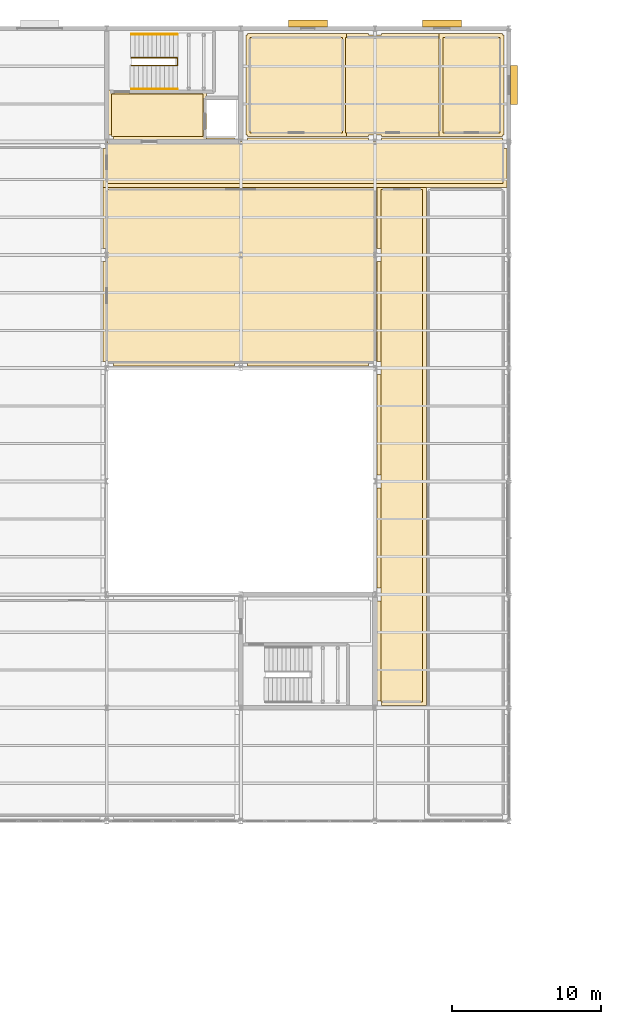
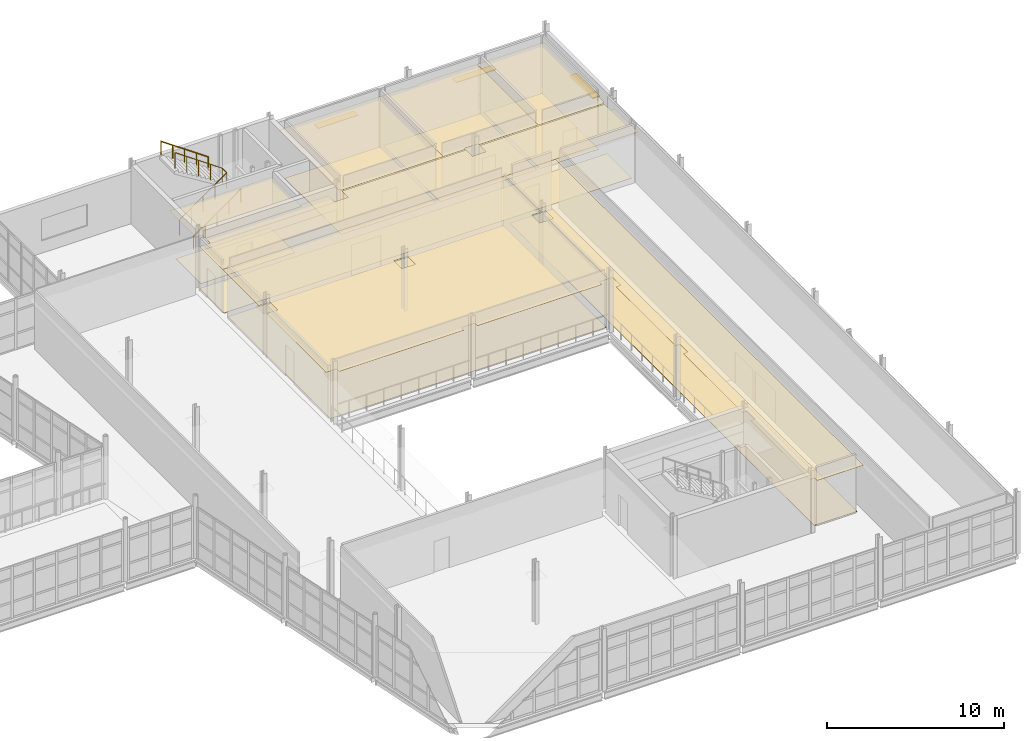
# One storey, part 174 of 174: 14 coverings, 3 railings, 3 shading devices.
"""IFC4 building model written with IfcOpenShell, lengths in metres."""

from ifc_helpers import new_model, si_unit, direction, frame, origin, origin_2d, place, context, subcontext, project, spatial, polyline, rectangle, circle, outline, extrude, material, layer, layer_set, type_object, element, save


model = new_model("IFC4")

# Units and contexts
model_context = context("Model", 3, precision=1e-05, world=origin(), true_north=direction((0.0, 1.0)))
body_context = subcontext(model_context, "Body", "Model", "MODEL_VIEW")
ifc_project = project(units=[si_unit("LENGTHUNIT", "METRE"), si_unit("AREAUNIT", "SQUARE_METRE"), si_unit("VOLUMEUNIT", "CUBIC_METRE"), si_unit("PLANEANGLEUNIT", "RADIAN"), si_unit("MASSUNIT", "GRAM", prefix="KILO")], contexts=[model_context])

# Site, building, storey
site_placement = place(None, origin())
site = spatial("IfcSite", under=ifc_project, at=site_placement, CompositionType="ELEMENT")
building_placement = place(site_placement, origin())
building = spatial("IfcBuilding", under=site, at=building_placement, Name="Caisbarro Railhouse Central Library", CompositionType="ELEMENT")
storey_placement = place(building_placement, frame((0.0, 0.0, 5.0400390625)))
storey = spatial("IfcBuildingStorey", under=building, at=storey_placement, Name="L01", CompositionType="ELEMENT", Elevation=5.0400390625)

# Coverings
ifc_material_1 = material(Name="Perforated mineral-fibre acoustic ceiling tile")
ifc_layer_1 = layer(ifc_material_1, 0.01806640625, Name="Perforated mineral-fibre acoustic ceiling tile")
ifc_layer_set_1 = layer_set([ifc_layer_1], Name="Perforated mineral-fibre acoustic ceiling tile")
covering_type_1 = type_object("IfcCoveringType", Name="COV-CL01", PredefinedType="CEILING", material=ifc_layer_set_1)
covering_1_placement = place(storey_placement, frame((0.0, 0.0, 3.25)))
element("IfcCovering", 1, at=covering_1_placement, inside=storey, type_object=covering_type_1, Name="CL01 acoustic ceiling Lift Lobby K3", PredefinedType="CEILING", context=body_context, shape_type="SweptSolid", body=[
    extrude(outline(polyline([(126.0400390625, 109.860107421875), (132.7099609375, 109.860107421875), (132.7099609375, 106.489990234375), (126.43994140625, 106.489990234375), (126.43994140625, 106.840087890625), (126.0400390625, 106.840087890625), (126.0400390625, 109.860107421875)])), origin(), (0.0, 0.0, 1.0), 0.01806640625),
])
covering_2_placement = place(storey_placement, frame((0.0, 0.0, 3.25)))
element("IfcCovering", 2, at=covering_2_placement, inside=storey, type_object=covering_type_1, Name="CL01 acoustic ceiling Atrium North Seminar Room L01", PredefinedType="CEILING", context=body_context, shape_type="SweptSolid", body=[
    extrude(outline(polyline([(134.56005859375, 91.639892578125), (134.56005859375, 91.340087890625), (126.43994140625, 91.340087890625), (126.43994140625, 91.639892578125), (125.739990234375, 91.639892578125), (125.739990234375, 98.360107421875), (126.43994140625, 98.360107421875), (126.43994140625, 99.239990234375), (125.739990234375, 99.239990234375), (125.739990234375, 103.4599609375), (144.260009765625, 103.4599609375), (144.260009765625, 99.239990234375), (143.56005859375, 99.239990234375), (143.56005859375, 98.360107421875), (144.260009765625, 98.360107421875), (144.260009765625, 91.639892578125), (143.56005859375, 91.639892578125), (143.56005859375, 91.340087890625), (135.43994140625, 91.340087890625), (135.43994140625, 91.639892578125), (134.56005859375, 91.639892578125)]), holes=[polyline([(134.56005859375, 98.360107421875), (135.43994140625, 98.360107421875), (135.43994140625, 99.239990234375), (134.56005859375, 99.239990234375), (134.56005859375, 98.360107421875)])]), origin(), (0.0, 0.0, 1.0), 0.01806640625),
])
covering_3_placement = place(storey_placement, frame((0.0, 0.0, 3.25)))
element("IfcCovering", 3, at=covering_3_placement, inside=storey, type_object=covering_type_1, Name="CL01 acoustic ceiling Atrium East Promenade Corridor L01", PredefinedType="CEILING", context=body_context, shape_type="SweptSolid", body=[
    extrude(outline(polyline([(144.43994140625, 68.840087890625), (144.139892578125, 68.840087890625), (144.139892578125, 75.56005859375), (144.43994140625, 75.56005859375), (144.43994140625, 76.43994140625), (144.139892578125, 76.43994140625), (144.139892578125, 83.159912109375), (144.43994140625, 83.159912109375), (144.43994140625, 84.0400390625), (144.139892578125, 84.0400390625), (144.139892578125, 90.760009765625), (144.43994140625, 90.760009765625), (144.43994140625, 91.639892578125), (144.139892578125, 91.639892578125), (144.139892578125, 98.360107421875), (144.43994140625, 98.360107421875), (144.43994140625, 99.239990234375), (144.139892578125, 99.239990234375), (144.139892578125, 103.4599609375), (147.4599609375, 103.4599609375), (147.4599609375, 68.5400390625), (144.43994140625, 68.5400390625), (144.43994140625, 68.840087890625)])), origin(), (0.0, 0.0, 1.0), 0.01806640625),
])
covering_4_placement = place(storey_placement, frame((0.0, 0.0, 3.25)))
element("IfcCovering", 4, at=covering_4_placement, inside=storey, type_object=covering_type_1, Name="CL01 acoustic ceiling Atrium North WC Corridor L01", PredefinedType="CEILING", context=body_context, shape_type="SweptSolid", body=[
    extrude(outline(polyline([(134.56005859375, 106.659912109375), (134.56005859375, 105.9599609375), (135.43994140625, 105.9599609375), (135.43994140625, 106.659912109375), (143.56005859375, 106.659912109375), (143.56005859375, 105.9599609375), (144.43994140625, 105.9599609375), (144.43994140625, 106.659912109375), (152.56005859375, 106.659912109375), (152.56005859375, 105.9599609375), (152.860107421875, 105.9599609375), (152.860107421875, 103.340087890625), (125.739990234375, 103.340087890625), (125.739990234375, 105.9599609375), (126.43994140625, 105.9599609375), (126.43994140625, 106.659912109375), (134.56005859375, 106.659912109375)])), origin(), (0.0, 0.0, 1.0), 0.01806640625),
])
covering_5_placement = place(storey_placement, frame((0.0, 0.0, 3.25)))
element("IfcCovering", 5, at=covering_5_placement, inside=storey, type_object=covering_type_1, Name="CL01 acoustic ceiling Male WC L01-V4", PredefinedType="CEILING", context=body_context, shape_type="SweptSolid", body=[
    extrude(outline(polyline([(142.095947265625, 113.659912109375), (142.095947265625, 106.739990234375), (135.43994140625, 106.739990234375), (135.43994140625, 106.840087890625), (135.340087890625, 106.840087890625), (135.340087890625, 113.56005859375), (135.43994140625, 113.56005859375), (135.43994140625, 113.659912109375), (142.095947265625, 113.659912109375)])), origin(), (0.0, 0.0, 1.0), 0.01806640625),
])
covering_6_placement = place(storey_placement, frame((0.0, 0.0, 3.25)))
element("IfcCovering", 6, at=covering_6_placement, inside=storey, type_object=covering_type_1, Name="CL01 acoustic ceiling Female WC L01-V4", PredefinedType="CEILING", context=body_context, shape_type="SweptSolid", body=[
    extrude(outline(polyline([(143.56005859375, 113.659912109375), (143.56005859375, 113.56005859375), (144.43994140625, 113.56005859375), (144.43994140625, 113.659912109375), (148.632080078125, 113.659912109375), (148.632080078125, 106.739990234375), (144.43994140625, 106.739990234375), (144.43994140625, 106.840087890625), (143.56005859375, 106.840087890625), (143.56005859375, 106.739990234375), (141.77587890625, 106.739990234375), (141.77587890625, 113.659912109375), (143.56005859375, 113.659912109375)])), origin(), (0.0, 0.0, 1.0), 0.01806640625),
])
covering_7_placement = place(storey_placement, frame((0.0, 0.0, 3.25)))
element("IfcCovering", 7, at=covering_7_placement, inside=storey, type_object=covering_type_1, Name="CL01 acoustic ceiling Accessible WC L01-V4", PredefinedType="CEILING", context=body_context, shape_type="SweptSolid", body=[
    extrude(outline(polyline([(152.56005859375, 113.659912109375), (152.56005859375, 113.56005859375), (152.659912109375, 113.56005859375), (152.659912109375, 106.840087890625), (152.56005859375, 106.840087890625), (152.56005859375, 106.739990234375), (148.31201171875, 106.739990234375), (148.31201171875, 113.659912109375), (152.56005859375, 113.659912109375)])), origin(), (0.0, 0.0, 1.0), 0.01806640625),
])
ifc_material_2 = material(Name="Polished cementitious terrazzo flooring")
ifc_layer_2 = layer(ifc_material_2, 0.02197265625, Name="Polished cementitious terrazzo flooring")
ifc_layer_set_2 = layer_set([ifc_layer_2], Name="Polished cementitious terrazzo flooring")
covering_type_2 = type_object("IfcCoveringType", Name="COV-FL01", PredefinedType="FLOORING", material=ifc_layer_set_2)
covering_8_placement = place(storey_placement, origin())
element("IfcCovering", 8, at=covering_8_placement, inside=storey, type_object=covering_type_2, Name="FL01 flooring Lift Lobby K3", PredefinedType="FLOORING", context=body_context, shape_type="SweptSolid", body=[
    extrude(outline(polyline([(126.300048828125, 106.75), (132.449951171875, 106.75), (132.449951171875, 109.60009765625), (126.300048828125, 109.60009765625), (126.300048828125, 106.75)])), origin(), (0.0, 0.0, 1.0), 0.02197265625),
])
covering_9_placement = place(storey_placement, origin())
element("IfcCovering", 9, at=covering_9_placement, inside=storey, type_object=covering_type_2, Name="FL01 flooring Atrium East Promenade Corridor L01", PredefinedType="FLOORING", context=body_context, shape_type="SweptSolid", body=[
    extrude(outline(polyline([(144.39990234375, 68.800048828125), (147.199951171875, 68.800048828125), (147.199951171875, 103.199951171875), (144.39990234375, 103.199951171875), (144.39990234375, 68.800048828125)])), origin(), (0.0, 0.0, 1.0), 0.02197265625),
])
covering_10_placement = place(storey_placement, origin())
element("IfcCovering", 10, at=covering_10_placement, inside=storey, type_object=covering_type_2, Name="FL01 flooring Atrium North WC Corridor L01", PredefinedType="FLOORING", context=body_context, shape_type="SweptSolid", body=[
    extrude(outline(polyline([(126.0, 103.60009765625), (152.60009765625, 103.60009765625), (152.60009765625, 106.39990234375), (126.0, 106.39990234375), (126.0, 103.60009765625)])), origin(), (0.0, 0.0, 1.0), 0.02197265625),
])
ifc_material_3 = material(Name="Heavy-duty acoustic linoleum flooring")
ifc_layer_3 = layer(ifc_material_3, 0.011962890625, Name="Heavy-duty acoustic linoleum flooring")
ifc_layer_set_3 = layer_set([ifc_layer_3], Name="Heavy-duty acoustic linoleum flooring")
covering_type_3 = type_object("IfcCoveringType", Name="COV-FL02", PredefinedType="FLOORING", material=ifc_layer_set_3)
covering_11_placement = place(storey_placement, origin())
element("IfcCovering", 11, at=covering_11_placement, inside=storey, type_object=covering_type_3, Name="FL02 flooring Atrium North Seminar Room L01", PredefinedType="FLOORING", context=body_context, shape_type="SweptSolid", body=[
    extrude(outline(polyline([(126.0, 91.60009765625), (144.0, 91.60009765625), (144.0, 103.199951171875), (126.0, 103.199951171875), (126.0, 91.60009765625)])), origin(), (0.0, 0.0, 1.0), 0.011962890625),
])
covering_12_placement = place(storey_placement, origin())
element("IfcCovering", 12, at=covering_12_placement, inside=storey, type_object=covering_type_3, Name="FL02 flooring Male WC L01-V4", PredefinedType="FLOORING", context=body_context, shape_type="SweptSolid", body=[
    extrude(outline(polyline([(135.60009765625, 107.0), (141.8359375, 107.0), (141.8359375, 113.39990234375), (135.60009765625, 113.39990234375), (135.60009765625, 107.0)])), origin(), (0.0, 0.0, 1.0), 0.011962890625),
])
covering_13_placement = place(storey_placement, origin())
element("IfcCovering", 13, at=covering_13_placement, inside=storey, type_object=covering_type_3, Name="FL02 flooring Female WC L01-V4", PredefinedType="FLOORING", context=body_context, shape_type="SweptSolid", body=[
    extrude(outline(polyline([(142.035888671875, 107.0), (148.3720703125, 107.0), (148.3720703125, 113.39990234375), (142.035888671875, 113.39990234375), (142.035888671875, 107.0)])), origin(), (0.0, 0.0, 1.0), 0.011962890625),
])
covering_14_placement = place(storey_placement, origin())
element("IfcCovering", 14, at=covering_14_placement, inside=storey, type_object=covering_type_3, Name="FL02 flooring Accessible WC L01-V4", PredefinedType="FLOORING", context=body_context, shape_type="SweptSolid", body=[
    extrude(outline(polyline([(148.572021484375, 107.0), (152.39990234375, 107.0), (152.39990234375, 113.39990234375), (148.572021484375, 113.39990234375), (148.572021484375, 107.0)])), origin(), (0.0, 0.0, 1.0), 0.011962890625),
])

# Railings
ifc_material_4 = material(Name="Brushed stainless steel Grade 316", Category="steel")
railing_type_1 = type_object("IfcRailingType", Name="RLG-STR092", PredefinedType="HANDRAIL", material=ifc_material_4)
railing_1_placement = place(storey_placement, frame((127.64990234375, 109.93994140625, 0.0)))
element("IfcRailing", 15, at=railing_1_placement, inside=storey, type_object=railing_type_1, Name="Stair ST-03 Outer Handrail F1 L01", PredefinedType="HANDRAIL", context=body_context, shape_type="SweptSolid", body=[
    extrude(circle(Radius=0.02392578125, at=origin_2d()), frame((0.0, 0.0, 0.89599609375), z_axis=(0.819624179701, 0.0, 0.572901565759), x_axis=(0.0, 1.0, 0.0)), (0.0, 0.0, 1.0), 3.77001953125),
    extrude(circle(Radius=0.02099609375, at=origin_2d()), origin(), (0.0, 0.0, 1.0), 0.871826171875),
    extrude(circle(Radius=0.02099609375, at=origin_2d()), frame((0.7724609375, 0.0, 0.5400390625)), (0.0, 0.0, 1.0), 0.871826171875),
    extrude(circle(Radius=0.02099609375, at=origin_2d()), frame((1.544921875, 0.0, 1.080078125)), (0.0, 0.0, 1.0), 0.871826171875),
    extrude(circle(Radius=0.02099609375, at=origin_2d()), frame((2.317626953125, 0.0, 1.619873046875)), (0.0, 0.0, 1.0), 0.871826171875),
    extrude(circle(Radius=0.02099609375, at=origin_2d()), frame((3.090087890625, 0.0, 2.159912109375)), (0.0, 0.0, 1.0), 0.871826171875),
])
railing_2_placement = place(storey_placement, frame((130.739990234375, 113.610107421875, 2.159912109375)))
element("IfcRailing", 16, at=railing_2_placement, inside=storey, type_object=railing_type_1, Name="Stair ST-03 Outer Handrail F2 L01", PredefinedType="HANDRAIL", context=body_context, shape_type="SweptSolid", body=[
    extrude(circle(Radius=0.02392578125, at=origin_2d()), frame((0.0, 0.0, 0.89599609375), z_axis=(-0.819593772312, 0.0, 0.572945065767), x_axis=(0.0, -1.0, 0.0)), (0.0, 0.0, 1.0), 3.770263671875),
    extrude(circle(Radius=0.02099609375, at=origin_2d()), origin(), (0.0, 0.0, 1.0), 0.871826171875),
    extrude(circle(Radius=0.02099609375, at=origin_2d()), frame((-0.7724609375, 0.0, 0.5400390625)), (0.0, 0.0, 1.0), 0.871826171875),
    extrude(circle(Radius=0.02099609375, at=origin_2d()), frame((-1.544921875, 0.0, 1.080078125)), (0.0, 0.0, 1.0), 0.871826171875),
    extrude(circle(Radius=0.02099609375, at=origin_2d()), frame((-2.317626953125, 0.0, 1.6201171875)), (0.0, 0.0, 1.0), 0.871826171875),
    extrude(circle(Radius=0.02099609375, at=origin_2d()), frame((-3.090087890625, 0.0, 2.16015625)), (0.0, 0.0, 1.0), 0.871826171875),
])
railing_type_2 = type_object("IfcRailingType", Name="RLG-STR110", PredefinedType="GUARDRAIL", material=ifc_material_4)
railing_3_placement = place(storey_placement, frame((127.64990234375, 111.52001953125, 0.0)))
element("IfcRailing", 17, at=railing_3_placement, inside=storey, type_object=railing_type_2, Name="Stair ST-03 Inner Well Guardrail L01", PredefinedType="GUARDRAIL", context=body_context, shape_type="SweptSolid", body=[
    extrude(circle(Radius=0.02392578125, at=origin_2d()), frame((0.0, 0.0, 1.076171875), z_axis=(0.819624179701, 0.0, 0.572901565759), x_axis=(0.0, 1.0, 0.0)), (0.0, 0.0, 1.0), 3.77001953125),
    extrude(circle(Radius=0.02392578125, at=origin_2d()), frame((3.090087890625, 0.0, 3.23583984375), z_axis=(0.0, 1.0, 0.0), x_axis=(-1.0, 0.0, 0.0)), (0.0, 0.0, 1.0), 0.510009765625),
    extrude(circle(Radius=0.02392578125, at=origin_2d()), frame((3.090087890625, 0.510009765625, 3.23583984375), z_axis=(-0.819593772312, 0.0, 0.572945065767), x_axis=(0.0, -1.0, 0.0)), (0.0, 0.0, 1.0), 3.770263671875),
    extrude(circle(Radius=0.02099609375, at=origin_2d()), origin(), (0.0, 0.0, 1.0), 1.052001953125),
    extrude(circle(Radius=0.02099609375, at=origin_2d()), frame((0.7724609375, 0.0, 0.5400390625)), (0.0, 0.0, 1.0), 1.052001953125),
    extrude(circle(Radius=0.02099609375, at=origin_2d()), frame((1.544921875, 0.0, 1.080078125)), (0.0, 0.0, 1.0), 1.052001953125),
    extrude(circle(Radius=0.02099609375, at=origin_2d()), frame((2.317626953125, 0.0, 1.619873046875)), (0.0, 0.0, 1.0), 1.052001953125),
    extrude(circle(Radius=0.02099609375, at=origin_2d()), frame((3.090087890625, 0.0, 2.159912109375)), (0.0, 0.0, 1.0), 1.052001953125),
    extrude(circle(Radius=0.02099609375, at=origin_2d()), frame((3.090087890625, 0.510009765625, 2.159912109375)), (0.0, 0.0, 1.0), 1.052001953125),
    extrude(circle(Radius=0.02099609375, at=origin_2d()), frame((2.317626953125, 0.510009765625, 2.699951171875)), (0.0, 0.0, 1.0), 1.052001953125),
    extrude(circle(Radius=0.02099609375, at=origin_2d()), frame((1.544921875, 0.510009765625, 3.239990234375)), (0.0, 0.0, 1.0), 1.052001953125),
    extrude(circle(Radius=0.02099609375, at=origin_2d()), frame((0.7724609375, 0.510009765625, 3.780029296875)), (0.0, 0.0, 1.0), 1.052001953125),
    extrude(circle(Radius=0.02099609375, at=origin_2d()), frame((0.0, 0.510009765625, 4.320068359375)), (0.0, 0.0, 1.0), 1.052001953125),
])

# Shading devices
ifc_material_5 = material(Name="Anodised architectural aluminium", Category="aluminium")
ifc_layer_4 = layer(ifc_material_5, 0.050048828125, Name="Anodised architectural aluminium")
ifc_layer_set_4 = layer_set([ifc_layer_4], Name="Anodised architectural aluminium")
shading_device_type = type_object("IfcShadingDeviceType", Name="SHD-JAL01", PredefinedType="JALOUSIE", material=ifc_layer_set_4)
for number, where, z_axis, x_axis, name in (
    (18, (139.5, 114.330078125, 2.0849609375), (0.0, 0.0, 1.0), (1.0, 0.0, 0.0), "JL01 solar brise-soleil L01-29"),
    (19, (148.5, 114.330078125, 2.0849609375), (0.0, 0.0, 1.0), (1.0, 0.0, 0.0), "JL01 solar brise-soleil L01-30"),
    (20, (153.330078125, 110.199951171875, 2.0849609375), (0.0, 0.0, 1.0), (0.0, 1.0, 0.0), "JL01 solar brise-soleil L01-31"),
):
    element("IfcShadingDevice", number, at=place(storey_placement, frame(where, z_axis=z_axis, x_axis=x_axis)), inside=storey, type_object=shading_device_type, Name=name, PredefinedType="JALOUSIE", context=body_context, shape_type="SweptSolid", body=[
        extrude(rectangle(XDim=2.60009765625, YDim=0.47998046875, at=origin_2d()), origin(), (0.0, 0.0, 1.0), 0.050048828125),
    ])

save(model, "model.ifc")
